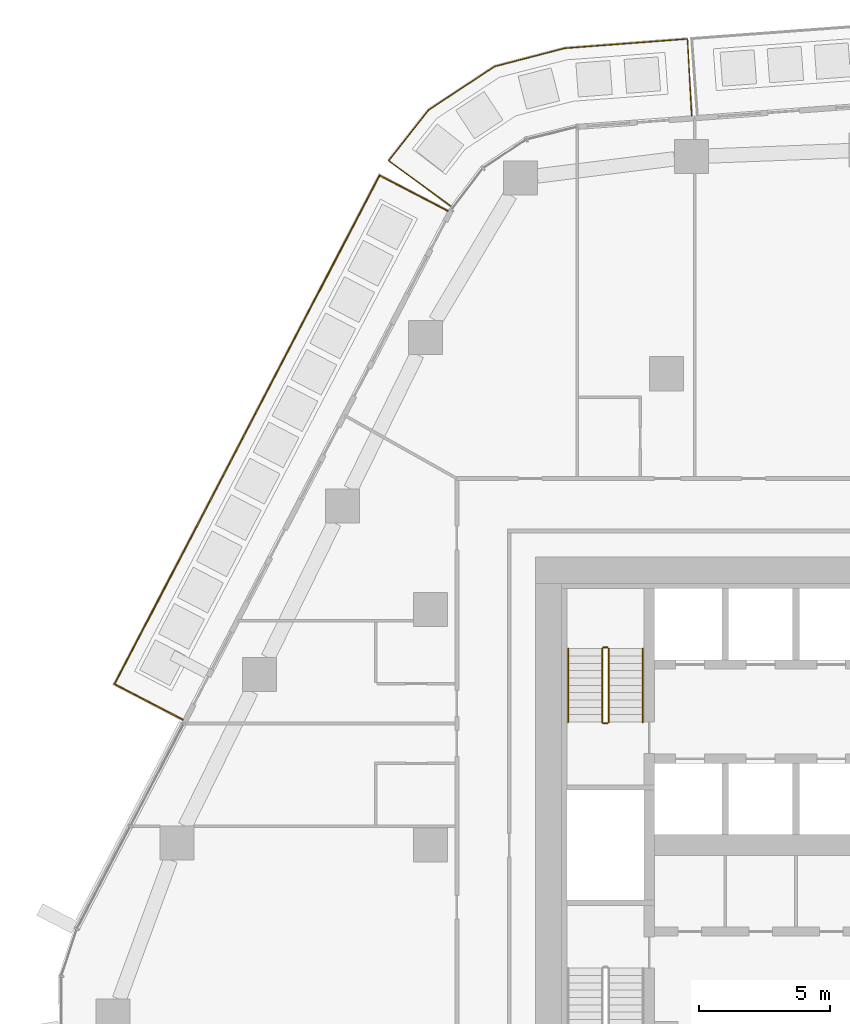
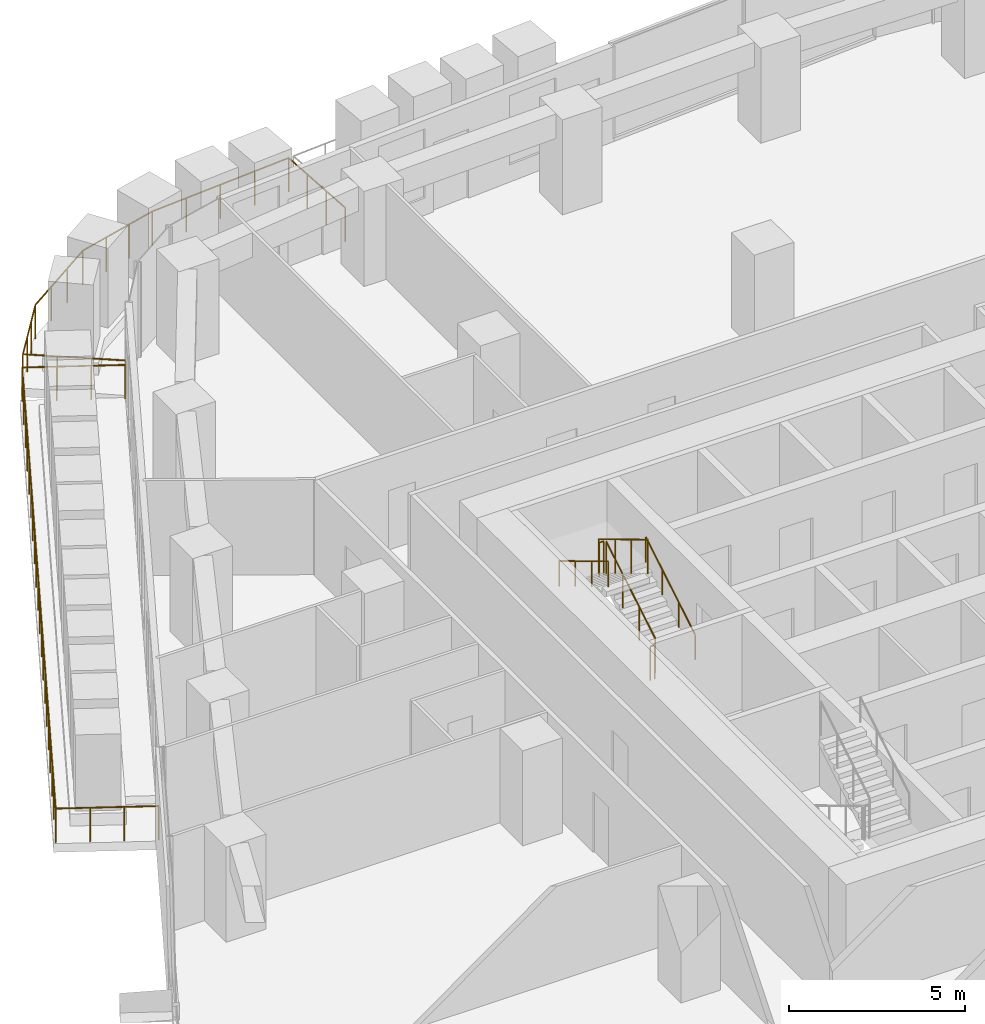
# One storey, part 21 of 23: 8 railings.
"""IFC4 building model written with IfcOpenShell, lengths in metres."""

from ifc_helpers import new_model, si_unit, direction, frame, origin, origin_2d, place, context, subcontext, project, spatial, circle, extrude, material, type_object, element, save


model = new_model("IFC4")

# Units and contexts
model_context = context("Model", 3, precision=1e-05, world=origin(), true_north=direction((0.0, 1.0)))
body_context = subcontext(model_context, "Body", "Model", "MODEL_VIEW")
ifc_project = project(units=[si_unit("LENGTHUNIT", "METRE"), si_unit("AREAUNIT", "SQUARE_METRE"), si_unit("VOLUMEUNIT", "CUBIC_METRE"), si_unit("PLANEANGLEUNIT", "RADIAN"), si_unit("MASSUNIT", "GRAM", prefix="KILO")], contexts=[model_context])

# Site, building, storey
site_placement = place(None, origin())
site = spatial("IfcSite", under=ifc_project, at=site_placement, CompositionType="ELEMENT")
building_placement = place(site_placement, origin())
building = spatial("IfcBuilding", under=site, at=building_placement, Name="Dongbaek Canopy Tower", CompositionType="ELEMENT")
storey_placement = place(building_placement, frame((0.0, 0.0, 135.89990234375)))
storey = spatial("IfcBuildingStorey", under=building, at=storey_placement, Name="L30", CompositionType="ELEMENT", Elevation=135.89990234375)

# Railings
ifc_material_1 = material(Name="Stainless steel", Category="steel")
railing_type_1 = type_object("IfcRailingType", Name="Balcony balustrade 1200", PredefinedType="BALUSTRADE", material=ifc_material_1)
railing_1_placement = place(storey_placement, frame((-8.033447265625, 27.8486328125, 0.0)))
element("IfcRailing", 1, at=railing_1_placement, inside=storey, type_object=railing_type_1, Name="Balcony guard L30 6", PredefinedType="BALUSTRADE", context=body_context, shape_type="SweptSolid", body=[
    extrude(circle(Radius=0.02392578125, at=origin_2d()), frame((0.0, 0.0, 1.17578125), z_axis=(-0.053216801753, 0.998582982036, 0.0), x_axis=(-0.998582982036, -0.053216801753, 0.0)), (0.0, 0.0, 1.0), 2.940673828125),
    extrude(circle(Radius=0.02392578125, at=origin_2d()), frame((-0.156494140625, 2.9365234375, 1.17578125), z_axis=(-0.997125831941, -0.075763284491, 0.0), x_axis=(0.075763284491, -0.997125831941, 0.0)), (0.0, 0.0, 1.0), 4.701416015625),
    extrude(circle(Radius=0.02392578125, at=origin_2d()), frame((-4.844482421875, 2.580322265625, 1.17578125), z_axis=(-0.967791156574, -0.251754398686, 0.0), x_axis=(0.251754398686, -0.967791156574, 0.0)), (0.0, 0.0, 1.0), 2.76953125),
    extrude(circle(Radius=0.02392578125, at=origin_2d()), frame((-7.52490234375, 1.883056640625, 1.17578125), z_axis=(-0.835286007651, -0.549815683137, 0.0), x_axis=(0.549815683137, -0.835286007651, 0.0)), (0.0, 0.0, 1.0), 3.016357421875),
    extrude(circle(Radius=0.02392578125, at=origin_2d()), frame((-10.04443359375, 0.224609375, 1.17578125), z_axis=(-0.618384358622, -0.785875807626, 0.0), x_axis=(0.785875807626, -0.618384358622, 0.0)), (0.0, 0.0, 1.0), 2.470703125),
    extrude(circle(Radius=0.02392578125, at=origin_2d()), frame((-11.572265625, -1.717041015625, 1.17578125), z_axis=(0.808466739516, -0.5885418686, 0.0), x_axis=(0.5885418686, 0.808466739516, 0.0)), (0.0, 0.0, 1.0), 2.940673828125),
    extrude(circle(Radius=0.02099609375, at=origin_2d()), origin(), (0.0, 0.0, 1.0), 1.15185546875),
    extrude(circle(Radius=0.02099609375, at=origin_2d()), frame((-0.05224609375, 0.978759765625, 0.0)), (0.0, 0.0, 1.0), 1.15185546875),
    extrude(circle(Radius=0.02099609375, at=origin_2d()), frame((-0.104248046875, 1.957763671875, 0.0)), (0.0, 0.0, 1.0), 1.15185546875),
    extrude(circle(Radius=0.02099609375, at=origin_2d()), frame((-0.156494140625, 2.9365234375, 0.0)), (0.0, 0.0, 1.0), 1.15185546875),
    extrude(circle(Radius=0.02099609375, at=origin_2d()), frame((-1.32861328125, 2.847412109375, 0.0)), (0.0, 0.0, 1.0), 1.15185546875),
    extrude(circle(Radius=0.02099609375, at=origin_2d()), frame((-2.50048828125, 2.75830078125, 0.0)), (0.0, 0.0, 1.0), 1.15185546875),
    extrude(circle(Radius=0.02099609375, at=origin_2d()), frame((-3.67236328125, 2.66943359375, 0.0)), (0.0, 0.0, 1.0), 1.15185546875),
    extrude(circle(Radius=0.02099609375, at=origin_2d()), frame((-4.844482421875, 2.580322265625, 0.0)), (0.0, 0.0, 1.0), 1.15185546875),
    extrude(circle(Radius=0.02099609375, at=origin_2d()), frame((-5.738037109375, 2.347900390625, 0.0)), (0.0, 0.0, 1.0), 1.15185546875),
    extrude(circle(Radius=0.02099609375, at=origin_2d()), frame((-6.63134765625, 2.115478515625, 0.0)), (0.0, 0.0, 1.0), 1.15185546875),
    extrude(circle(Radius=0.02099609375, at=origin_2d()), frame((-7.52490234375, 1.883056640625, 0.0)), (0.0, 0.0, 1.0), 1.15185546875),
    extrude(circle(Radius=0.02099609375, at=origin_2d()), frame((-8.36474609375, 1.330322265625, 0.0)), (0.0, 0.0, 1.0), 1.15185546875),
    extrude(circle(Radius=0.02099609375, at=origin_2d()), frame((-9.20458984375, 0.77734375, 0.0)), (0.0, 0.0, 1.0), 1.15185546875),
    extrude(circle(Radius=0.02099609375, at=origin_2d()), frame((-10.04443359375, 0.224609375, 0.0)), (0.0, 0.0, 1.0), 1.15185546875),
    extrude(circle(Radius=0.02099609375, at=origin_2d()), frame((-10.5537109375, -0.422607421875, 0.0)), (0.0, 0.0, 1.0), 1.15185546875),
    extrude(circle(Radius=0.02099609375, at=origin_2d()), frame((-11.06298828125, -1.06982421875, 0.0)), (0.0, 0.0, 1.0), 1.15185546875),
    extrude(circle(Radius=0.02099609375, at=origin_2d()), frame((-11.572265625, -1.717041015625, 0.0)), (0.0, 0.0, 1.0), 1.15185546875),
    extrude(circle(Radius=0.02099609375, at=origin_2d()), frame((-10.77978515625, -2.2939453125, 0.0)), (0.0, 0.0, 1.0), 1.15185546875),
    extrude(circle(Radius=0.02099609375, at=origin_2d()), frame((-9.9873046875, -2.870849609375, 0.0)), (0.0, 0.0, 1.0), 1.15185546875),
    extrude(circle(Radius=0.02099609375, at=origin_2d()), frame((-9.19482421875, -3.44775390625, 0.0)), (0.0, 0.0, 1.0), 1.15185546875),
])
railing_2_placement = place(storey_placement, frame((-17.345703125, 24.2158203125, 0.0)))
element("IfcRailing", 2, at=railing_2_placement, inside=storey, type_object=railing_type_1, Name="Balcony guard L30 2", PredefinedType="BALUSTRADE", context=body_context, shape_type="SweptSolid", body=[
    extrude(circle(Radius=0.02392578125, at=origin_2d()), frame((0.0, 0.0, 1.17578125), z_axis=(-0.886948811546, 0.46186773615, 0.0), x_axis=(-0.46186773615, -0.886948811546, 0.0)), (0.0, 0.0, 1.0), 2.93994140625),
    extrude(circle(Radius=0.02392578125, at=origin_2d()), frame((-2.607666015625, 1.35791015625, 1.17578125), z_axis=(-0.461907199469, -0.88692826039, 0.0), x_axis=(0.88692826039, -0.461907199469, 0.0)), (0.0, 0.0, 1.0), 21.9013671875),
    extrude(circle(Radius=0.02392578125, at=origin_2d()), frame((-12.72412109375, -18.067138671875, 1.17578125), z_axis=(0.886948811546, -0.46186773615, 0.0), x_axis=(0.46186773615, 0.886948811546, 0.0)), (0.0, 0.0, 1.0), 2.93994140625),
    extrude(circle(Radius=0.02099609375, at=origin_2d()), origin(), (0.0, 0.0, 1.0), 1.15185546875),
    extrude(circle(Radius=0.02099609375, at=origin_2d()), frame((-0.869140625, 0.45263671875, 0.0)), (0.0, 0.0, 1.0), 1.15185546875),
    extrude(circle(Radius=0.02099609375, at=origin_2d()), frame((-1.738525390625, 0.9052734375, 0.0)), (0.0, 0.0, 1.0), 1.15185546875),
    extrude(circle(Radius=0.02099609375, at=origin_2d()), frame((-2.607666015625, 1.35791015625, 0.0)), (0.0, 0.0, 1.0), 1.15185546875),
    extrude(circle(Radius=0.02099609375, at=origin_2d()), frame((-3.14013671875, 0.33544921875, 0.0)), (0.0, 0.0, 1.0), 1.15185546875),
    extrude(circle(Radius=0.02099609375, at=origin_2d()), frame((-3.672607421875, -0.686767578125, 0.0)), (0.0, 0.0, 1.0), 1.15185546875),
    extrude(circle(Radius=0.02099609375, at=origin_2d()), frame((-4.205078125, -1.709228515625, 0.0)), (0.0, 0.0, 1.0), 1.15185546875),
    extrude(circle(Radius=0.02099609375, at=origin_2d()), frame((-4.737548828125, -2.731689453125, 0.0)), (0.0, 0.0, 1.0), 1.15185546875),
    extrude(circle(Radius=0.02099609375, at=origin_2d()), frame((-5.269775390625, -3.75390625, 0.0)), (0.0, 0.0, 1.0), 1.15185546875),
    extrude(circle(Radius=0.02099609375, at=origin_2d()), frame((-5.80224609375, -4.7763671875, 0.0)), (0.0, 0.0, 1.0), 1.15185546875),
    extrude(circle(Radius=0.02099609375, at=origin_2d()), frame((-6.334716796875, -5.798583984375, 0.0)), (0.0, 0.0, 1.0), 1.15185546875),
    extrude(circle(Radius=0.02099609375, at=origin_2d()), frame((-6.8671875, -6.821044921875, 0.0)), (0.0, 0.0, 1.0), 1.15185546875),
    extrude(circle(Radius=0.02099609375, at=origin_2d()), frame((-7.399658203125, -7.843505859375, 0.0)), (0.0, 0.0, 1.0), 1.15185546875),
    extrude(circle(Radius=0.02099609375, at=origin_2d()), frame((-7.93212890625, -8.86572265625, 0.0)), (0.0, 0.0, 1.0), 1.15185546875),
    extrude(circle(Radius=0.02099609375, at=origin_2d()), frame((-8.464599609375, -9.88818359375, 0.0)), (0.0, 0.0, 1.0), 1.15185546875),
    extrude(circle(Radius=0.02099609375, at=origin_2d()), frame((-8.9970703125, -10.91064453125, 0.0)), (0.0, 0.0, 1.0), 1.15185546875),
    extrude(circle(Radius=0.02099609375, at=origin_2d()), frame((-9.529541015625, -11.932861328125, 0.0)), (0.0, 0.0, 1.0), 1.15185546875),
    extrude(circle(Radius=0.02099609375, at=origin_2d()), frame((-10.06201171875, -12.955322265625, 0.0)), (0.0, 0.0, 1.0), 1.15185546875),
    extrude(circle(Radius=0.02099609375, at=origin_2d()), frame((-10.59423828125, -13.9775390625, 0.0)), (0.0, 0.0, 1.0), 1.15185546875),
    extrude(circle(Radius=0.02099609375, at=origin_2d()), frame((-11.126708984375, -15.0, 0.0)), (0.0, 0.0, 1.0), 1.15185546875),
    extrude(circle(Radius=0.02099609375, at=origin_2d()), frame((-11.6591796875, -16.0224609375, 0.0)), (0.0, 0.0, 1.0), 1.15185546875),
    extrude(circle(Radius=0.02099609375, at=origin_2d()), frame((-12.191650390625, -17.044677734375, 0.0)), (0.0, 0.0, 1.0), 1.15185546875),
    extrude(circle(Radius=0.02099609375, at=origin_2d()), frame((-12.72412109375, -18.067138671875, 0.0)), (0.0, 0.0, 1.0), 1.15185546875),
    extrude(circle(Radius=0.02099609375, at=origin_2d()), frame((-11.85498046875, -18.519775390625, 0.0)), (0.0, 0.0, 1.0), 1.15185546875),
    extrude(circle(Radius=0.02099609375, at=origin_2d()), frame((-10.985595703125, -18.972412109375, 0.0)), (0.0, 0.0, 1.0), 1.15185546875),
    extrude(circle(Radius=0.02099609375, at=origin_2d()), frame((-10.116455078125, -19.425048828125, 0.0)), (0.0, 0.0, 1.0), 1.15185546875),
])
ifc_material_2 = material(Name="Stainless steel tube and balusters", Category="steel")
railing_type_2 = type_object("IfcRailingType", Name="Stair guard 1200", PredefinedType="GUARDRAIL", material=ifc_material_2)
railing_3_placement = place(storey_placement, frame((-11.199951171875, 4.699951171875, 0.168212890625)))
element("IfcRailing", 3, at=railing_3_placement, inside=storey, type_object=railing_type_2, Name="L30 ST-C stair guard 1", PredefinedType="GUARDRAIL", context=body_context, shape_type="SweptSolid", body=[
    extrude(circle(Radius=0.02392578125, at=origin_2d()), frame((0.0, 0.0, 1.17578125), z_axis=(0.0, 0.857242210791, 0.514913383045), x_axis=(-1.0, 0.0, 0.0)), (0.0, 0.0, 1.0), 3.266357421875),
    extrude(circle(Radius=0.02099609375, at=origin_2d()), origin(), (0.0, 0.0, 1.0), 1.15185546875),
    extrude(circle(Radius=0.02099609375, at=origin_2d()), frame((0.0, 0.933349609375, 0.560546875)), (0.0, 0.0, 1.0), 1.15185546875),
    extrude(circle(Radius=0.02099609375, at=origin_2d()), frame((0.0, 1.86669921875, 1.121337890625)), (0.0, 0.0, 1.0), 1.15185546875),
    extrude(circle(Radius=0.02099609375, at=origin_2d()), frame((0.0, 2.800048828125, 1.681884765625)), (0.0, 0.0, 1.0), 1.15185546875),
])
railing_4_placement = place(storey_placement, frame((-11.25, 7.550048828125, 1.85009765625)))
element("IfcRailing", 4, at=railing_4_placement, inside=storey, type_object=railing_type_2, Name="L30 ST-C stair guard 2", PredefinedType="GUARDRAIL", context=body_context, shape_type="SweptSolid", body=[
    extrude(circle(Radius=0.02392578125, at=origin_2d()), frame((0.0, 0.0, 1.17578125), z_axis=(-1.0, 0.0, 0.0), x_axis=(0.0, -1.0, 0.0)), (0.0, 0.0, 1.0), 0.14990234375),
    extrude(circle(Radius=0.02099609375, at=origin_2d()), origin(), (0.0, 0.0, 1.0), 1.15185546875),
    extrude(circle(Radius=0.02099609375, at=origin_2d()), frame((-0.14990234375, 0.0, 0.0)), (0.0, 0.0, 1.0), 1.15185546875),
])
railing_5_placement = place(storey_placement, frame((-11.449951171875, 7.5, 2.018310546875)))
element("IfcRailing", 5, at=railing_5_placement, inside=storey, type_object=railing_type_2, Name="L30 ST-C stair guard 3", PredefinedType="GUARDRAIL", context=body_context, shape_type="SweptSolid", body=[
    extrude(circle(Radius=0.02392578125, at=origin_2d()), frame((0.0, 0.0, 1.17578125), z_axis=(0.0, -0.857242210791, 0.514913383045), x_axis=(1.0, 0.0, 0.0)), (0.0, 0.0, 1.0), 3.266357421875),
    extrude(circle(Radius=0.02099609375, at=origin_2d()), origin(), (0.0, 0.0, 1.0), 1.15185546875),
    extrude(circle(Radius=0.02099609375, at=origin_2d()), frame((0.0, -0.933349609375, 0.560546875)), (0.0, 0.0, 1.0), 1.15185546875),
    extrude(circle(Radius=0.02099609375, at=origin_2d()), frame((0.0, -1.86669921875, 1.121337890625)), (0.0, 0.0, 1.0), 1.15185546875),
    extrude(circle(Radius=0.02099609375, at=origin_2d()), frame((0.0, -2.800048828125, 1.681884765625)), (0.0, 0.0, 1.0), 1.15185546875),
])
railing_6_placement = place(storey_placement, frame((-11.25, 4.64990234375, 0.0)))
element("IfcRailing", 6, at=railing_6_placement, inside=storey, type_object=railing_type_2, Name="L30 ST-C stair guard 4", PredefinedType="GUARDRAIL", context=body_context, shape_type="SweptSolid", body=[
    extrude(circle(Radius=0.02392578125, at=origin_2d()), frame((0.0, 0.0, 1.17578125), z_axis=(-1.0, 0.0, 0.0), x_axis=(0.0, -1.0, 0.0)), (0.0, 0.0, 1.0), 0.14990234375),
    extrude(circle(Radius=0.02099609375, at=origin_2d()), origin(), (0.0, 0.0, 1.0), 1.15185546875),
    extrude(circle(Radius=0.02099609375, at=origin_2d()), frame((-0.14990234375, 0.0, 0.0)), (0.0, 0.0, 1.0), 1.15185546875),
])
ifc_material_3 = material(Name="Stainless steel tube", Category="steel")
railing_type_3 = type_object("IfcRailingType", Name="Stair handrail 900", PredefinedType="HANDRAIL", material=ifc_material_3)
railing_7_placement = place(storey_placement, frame((-9.89990234375, 4.699951171875, 0.168212890625)))
element("IfcRailing", 7, at=railing_7_placement, inside=storey, type_object=railing_type_3, Name="L30 ST-C stair handrail 1", PredefinedType="HANDRAIL", context=body_context, shape_type="SweptSolid", body=[
    extrude(circle(Radius=0.02392578125, at=origin_2d()), frame((0.0, 0.0, 0.8759765625), z_axis=(0.0, 0.857242210791, 0.514913383045), x_axis=(-1.0, 0.0, 0.0)), (0.0, 0.0, 1.0), 3.266357421875),
    extrude(circle(Radius=0.02099609375, at=origin_2d()), origin(), (0.0, 0.0, 1.0), 0.851806640625),
    extrude(circle(Radius=0.02099609375, at=origin_2d()), frame((0.0, 0.933349609375, 0.560546875)), (0.0, 0.0, 1.0), 0.851806640625),
    extrude(circle(Radius=0.02099609375, at=origin_2d()), frame((0.0, 1.86669921875, 1.121337890625)), (0.0, 0.0, 1.0), 0.851806640625),
    extrude(circle(Radius=0.02099609375, at=origin_2d()), frame((0.0, 2.800048828125, 1.681884765625)), (0.0, 0.0, 1.0), 0.851806640625),
])
railing_8_placement = place(storey_placement, frame((-12.75, 7.5, 2.018310546875)))
element("IfcRailing", 8, at=railing_8_placement, inside=storey, type_object=railing_type_3, Name="L30 ST-C stair handrail 2", PredefinedType="HANDRAIL", context=body_context, shape_type="SweptSolid", body=[
    extrude(circle(Radius=0.02392578125, at=origin_2d()), frame((0.0, 0.0, 0.8759765625), z_axis=(0.0, -0.857242210791, 0.514913383045), x_axis=(1.0, 0.0, 0.0)), (0.0, 0.0, 1.0), 3.266357421875),
    extrude(circle(Radius=0.02099609375, at=origin_2d()), origin(), (0.0, 0.0, 1.0), 0.851806640625),
    extrude(circle(Radius=0.02099609375, at=origin_2d()), frame((0.0, -0.933349609375, 0.560546875)), (0.0, 0.0, 1.0), 0.851806640625),
    extrude(circle(Radius=0.02099609375, at=origin_2d()), frame((0.0, -1.86669921875, 1.121337890625)), (0.0, 0.0, 1.0), 0.851806640625),
    extrude(circle(Radius=0.02099609375, at=origin_2d()), frame((0.0, -2.800048828125, 1.681884765625)), (0.0, 0.0, 1.0), 0.851806640625),
])

save(model, "model.ifc")
